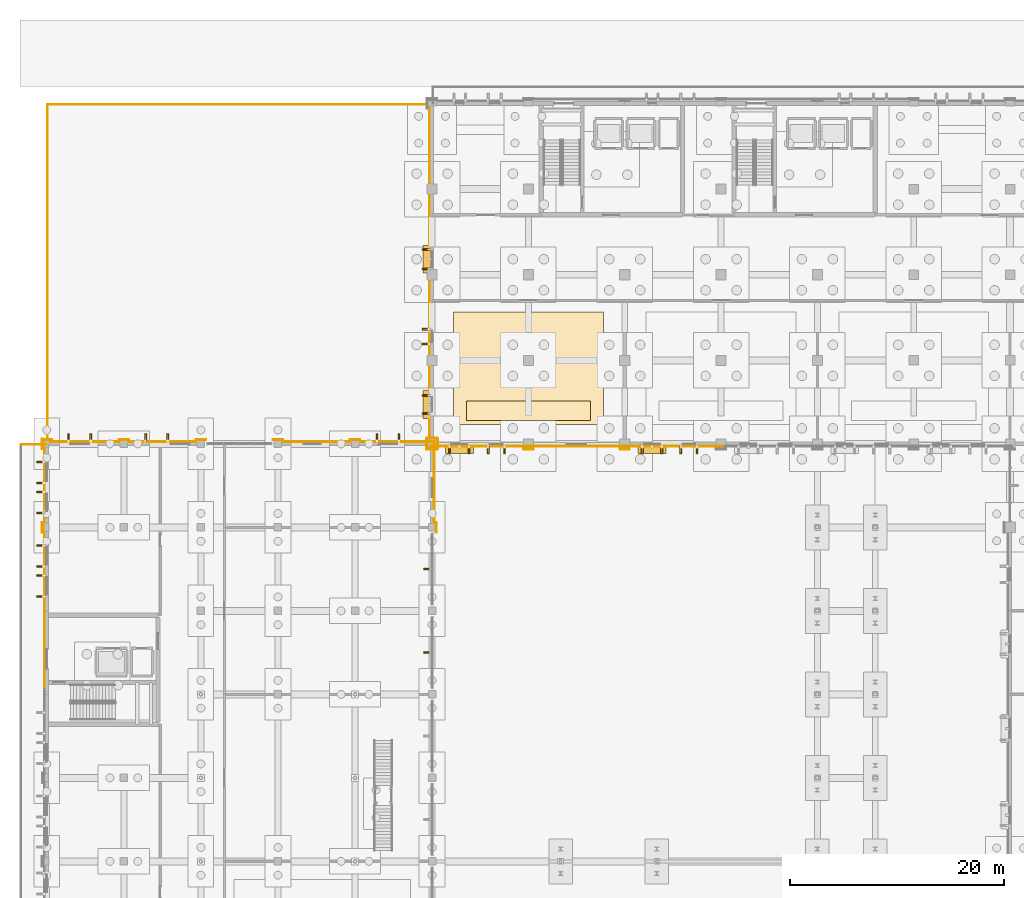
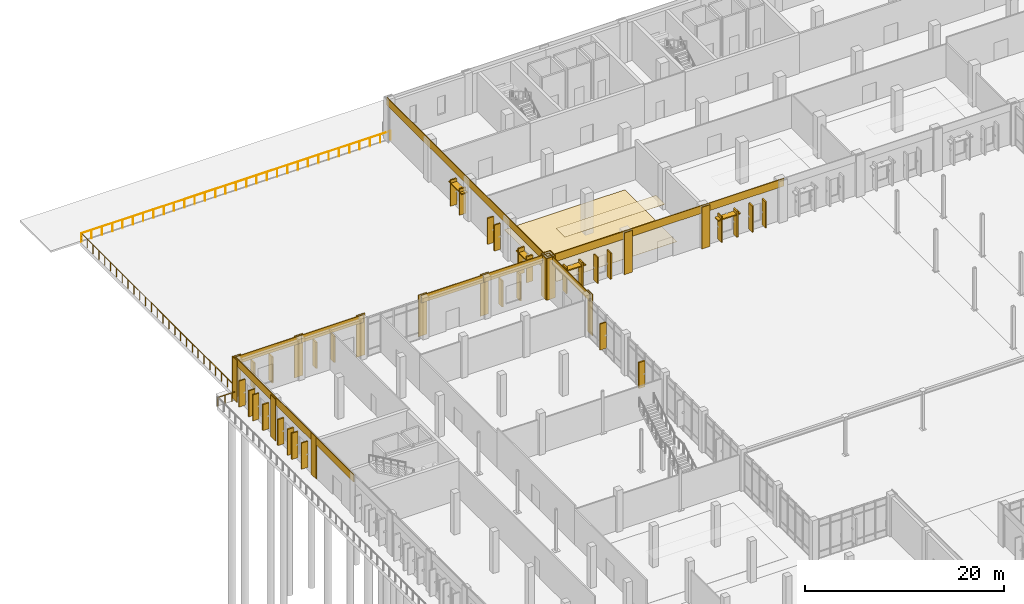
# One storey, part 86 of 94: 34 shading devices, 29 coverings, 3 railings.
"""IFC4 building model written with IfcOpenShell, lengths in metres."""

from ifc_helpers import new_model, si_unit, direction, frame, origin, origin_2d, place, context, subcontext, project, spatial, polyline, rectangle, circle, outline, extrude, material, layer, layer_set, type_object, element, save


model = new_model("IFC4")

# Units and contexts
model_context = context("Model", 3, precision=1e-05, world=origin(), true_north=direction((0.0, 1.0)))
body_context = subcontext(model_context, "Body", "Model", "MODEL_VIEW")
ifc_project = project(units=[si_unit("LENGTHUNIT", "METRE"), si_unit("AREAUNIT", "SQUARE_METRE"), si_unit("VOLUMEUNIT", "CUBIC_METRE"), si_unit("PLANEANGLEUNIT", "RADIAN"), si_unit("MASSUNIT", "GRAM", prefix="KILO")], contexts=[model_context])

# Site, building, storey
site_placement = place(None, origin())
site = spatial("IfcSite", under=ifc_project, at=site_placement, CompositionType="ELEMENT")
building_placement = place(site_placement, origin())
building = spatial("IfcBuilding", under=site, at=building_placement, Name="Vervanel Yard Central Library", CompositionType="ELEMENT")
storey_placement = place(building_placement, origin())
storey = spatial("IfcBuildingStorey", under=building, at=storey_placement, Name="L00", CompositionType="ELEMENT", Elevation=0.0)

# Coverings
ifc_material_1 = material(Name="Precast concrete C45/55", Category="concrete")
ifc_layer_1 = layer(ifc_material_1, 0.0849609375, Category="concrete")
ifc_layer_set_1 = layer_set([ifc_layer_1], Name="Precast concrete C45/55")
covering_type_1 = type_object("IfcCoveringType", Name="Bush-Hammered Precast Architectural Cladding Panel", PredefinedType="CLADDING", material=ifc_layer_set_1)
covering_1_placement = place(storey_placement, frame((40.5, 81.9599609375, 4.179931640625), z_axis=(0.0, 0.0, 1.0), x_axis=(1.0, 0.0, 0.0)))
element("IfcCovering", 1, at=covering_1_placement, inside=storey, type_object=covering_type_1, Name="L00 Precast Concrete Spandrel Cornice EWALL-L00-0011", PredefinedType="CLADDING", context=body_context, shape_type="SweptSolid", body=[
    extrude(rectangle(XDim=9.449951171875, YDim=0.0849609375, at=origin_2d()), origin(), (0.0, 0.0, 1.0), 0.93994140625),
])
for number, where, z_axis, x_axis, name in (
    (2, (36.0, 81.6826171875, 0.0), (0.0, 0.0, 1.0), (1.0, 0.0, 0.0), "L00 Precast Concrete Pier Pilaster EWALL-L00-0011-A"),
    (3, (45.0, 81.6826171875, 0.0), (0.0, 0.0, 1.0), (1.0, 0.0, 0.0), "L00 Precast Concrete Pier Pilaster EWALL-L00-0011-B"),
):
    element("IfcCovering", number, at=place(storey_placement, frame(where, z_axis=z_axis, x_axis=x_axis)), inside=storey, type_object=covering_type_1, Name=name, PredefinedType="CLADDING", context=body_context, shape_type="SweptSolid", body=[
        extrude(rectangle(XDim=0.97998046875, YDim=0.0849609375, at=origin_2d()), origin(), (0.0, 0.0, 1.0), 5.1201171875),
    ])
covering_2_placement = place(storey_placement, frame((49.5, 81.9599609375, 4.179931640625), z_axis=(0.0, 0.0, 1.0), x_axis=(1.0, 0.0, 0.0)))
element("IfcCovering", 4, at=covering_2_placement, inside=storey, type_object=covering_type_1, Name="L00 Precast Concrete Spandrel Cornice EWALL-L00-0012", PredefinedType="CLADDING", context=body_context, shape_type="SweptSolid", body=[
    extrude(rectangle(XDim=9.449951171875, YDim=0.0849609375, at=origin_2d()), origin(), (0.0, 0.0, 1.0), 0.93994140625),
])
covering_3_placement = place(storey_placement, frame((54.0, 81.6826171875, 0.0), z_axis=(0.0, 0.0, 1.0), x_axis=(1.0, 0.0, 0.0)))
element("IfcCovering", 5, at=covering_3_placement, inside=storey, type_object=covering_type_1, Name="L00 Precast Concrete Pier Pilaster EWALL-L00-0012-B", PredefinedType="CLADDING", context=body_context, shape_type="SweptSolid", body=[
    extrude(rectangle(XDim=0.97998046875, YDim=0.0849609375, at=origin_2d()), origin(), (0.0, 0.0, 1.0), 5.1201171875),
])
covering_4_placement = place(storey_placement, frame((58.5, 81.9599609375, 4.179931640625), z_axis=(0.0, 0.0, 1.0), x_axis=(1.0, 0.0, 0.0)))
element("IfcCovering", 6, at=covering_4_placement, inside=storey, type_object=covering_type_1, Name="L00 Precast Concrete Spandrel Cornice EWALL-L00-0013", PredefinedType="CLADDING", context=body_context, shape_type="SweptSolid", body=[
    extrude(rectangle(XDim=9.449951171875, YDim=0.0849609375, at=origin_2d()), origin(), (0.0, 0.0, 1.0), 0.93994140625),
])
covering_5_placement = place(storey_placement, frame((35.760009765625, 98.10009765625, 4.179931640625), z_axis=(0.0, 0.0, 1.0), x_axis=(0.0, 1.0, 0.0)))
element("IfcCovering", 7, at=covering_5_placement, inside=storey, type_object=covering_type_1, Name="L00 Precast Concrete Spandrel Cornice EWALL-L00-0017", PredefinedType="CLADDING", context=body_context, shape_type="SweptSolid", body=[
    extrude(rectangle(XDim=32.25, YDim=0.0849609375, at=origin_2d()), origin(), (0.0, 0.0, 1.0), 0.93994140625),
])
covering_6_placement = place(storey_placement, frame((35.482421875, 82.199951171875, 0.0), z_axis=(0.0, 0.0, 1.0), x_axis=(0.0, 1.0, 0.0)))
element("IfcCovering", 8, at=covering_6_placement, inside=storey, type_object=covering_type_1, Name="L00 Precast Concrete Pier Pilaster EWALL-L00-0017-A", PredefinedType="CLADDING", context=body_context, shape_type="SweptSolid", body=[
    extrude(rectangle(XDim=0.97998046875, YDim=0.0849609375, at=origin_2d()), origin(), (0.0, 0.0, 1.0), 5.1201171875),
])
covering_7_placement = place(storey_placement, frame((-0.2099609375, 62.699951171875, 4.179931640625), z_axis=(0.0, 0.0, 1.0), x_axis=(0.0, 1.0, 0.0)))
element("IfcCovering", 9, at=covering_7_placement, inside=storey, type_object=covering_type_1, Name="L00 Precast Concrete Spandrel Cornice EWALL-L00-0090", PredefinedType="CLADDING", context=body_context, shape_type="SweptSolid", body=[
    extrude(rectangle(XDim=8.25, YDim=0.0849609375, at=origin_2d()), origin(), (0.0, 0.0, 1.0), 0.93994140625),
])
covering_8_placement = place(storey_placement, frame((-0.21240234375, 66.60009765625, 0.0), z_axis=(0.0, 0.0, 1.0), x_axis=(0.0, 1.0, 0.0)))
element("IfcCovering", 10, at=covering_8_placement, inside=storey, type_object=covering_type_1, Name="L00 Precast Concrete Pier Pilaster EWALL-L00-0090-B", PredefinedType="CLADDING", context=body_context, shape_type="SweptSolid", body=[
    extrude(rectangle(XDim=0.97998046875, YDim=0.0849609375, at=origin_2d()), origin(), (0.0, 0.0, 1.0), 5.1201171875),
])
covering_9_placement = place(storey_placement, frame((-0.2099609375, 70.5, 4.179931640625), z_axis=(0.0, 0.0, 1.0), x_axis=(0.0, 1.0, 0.0)))
element("IfcCovering", 11, at=covering_9_placement, inside=storey, type_object=covering_type_1, Name="L00 Precast Concrete Spandrel Cornice EWALL-L00-0091", PredefinedType="CLADDING", context=body_context, shape_type="SweptSolid", body=[
    extrude(rectangle(XDim=8.25, YDim=0.0849609375, at=origin_2d()), origin(), (0.0, 0.0, 1.0), 0.93994140625),
])
covering_10_placement = place(storey_placement, frame((-0.4326171875, 74.39990234375, 0.0), z_axis=(0.0, 0.0, 1.0), x_axis=(0.0, 1.0, 0.0)))
element("IfcCovering", 12, at=covering_10_placement, inside=storey, type_object=covering_type_1, Name="L00 Precast Concrete Pier Pilaster EWALL-L00-0091-B", PredefinedType="CLADDING", context=body_context, shape_type="SweptSolid", body=[
    extrude(rectangle(XDim=0.97998046875, YDim=0.0849609375, at=origin_2d()), origin(), (0.0, 0.0, 1.0), 5.1201171875),
])
covering_11_placement = place(storey_placement, frame((-0.2099609375, 78.300048828125, 4.179931640625), z_axis=(0.0, 0.0, 1.0), x_axis=(0.0, 1.0, 0.0)))
element("IfcCovering", 13, at=covering_11_placement, inside=storey, type_object=covering_type_1, Name="L00 Precast Concrete Spandrel Cornice EWALL-L00-0092", PredefinedType="CLADDING", context=body_context, shape_type="SweptSolid", body=[
    extrude(rectangle(XDim=8.25, YDim=0.0849609375, at=origin_2d()), origin(), (0.0, 0.0, 1.0), 0.93994140625),
])
covering_12_placement = place(storey_placement, frame((-0.402587890625, 82.199951171875, 0.0), z_axis=(0.0, 0.0, 1.0), x_axis=(0.0, 1.0, 0.0)))
element("IfcCovering", 14, at=covering_12_placement, inside=storey, type_object=covering_type_1, Name="L00 Precast Concrete Pier Pilaster EWALL-L00-0092-B", PredefinedType="CLADDING", context=body_context, shape_type="SweptSolid", body=[
    extrude(rectangle(XDim=0.97998046875, YDim=0.0849609375, at=origin_2d()), origin(), (0.0, 0.0, 1.0), 5.1201171875),
])
covering_13_placement = place(storey_placement, frame((36.2099609375, 78.300048828125, 4.179931640625), z_axis=(0.0, 0.0, 1.0), x_axis=(0.0, 1.0, 0.0)))
element("IfcCovering", 15, at=covering_13_placement, inside=storey, type_object=covering_type_1, Name="L00 Precast Concrete Spandrel Cornice EWALL-L00-0093", PredefinedType="CLADDING", context=body_context, shape_type="SweptSolid", body=[
    extrude(rectangle(XDim=8.25, YDim=0.0849609375, at=origin_2d()), origin(), (0.0, 0.0, 1.0), 0.93994140625),
])
for number, where, z_axis, x_axis, name in (
    (16, (36.392578125, 74.39990234375, 0.0), (0.0, 0.0, 1.0), (0.0, 1.0, 0.0), "L00 Precast Concrete Pier Pilaster EWALL-L00-0093-A"),
    (17, (36.517578125, 82.199951171875, 0.0), (0.0, 0.0, 1.0), (0.0, 1.0, 0.0), "L00 Precast Concrete Pier Pilaster EWALL-L00-0093-B"),
):
    element("IfcCovering", number, at=place(storey_placement, frame(where, z_axis=z_axis, x_axis=x_axis)), inside=storey, type_object=covering_type_1, Name=name, PredefinedType="CLADDING", context=body_context, shape_type="SweptSolid", body=[
        extrude(rectangle(XDim=0.97998046875, YDim=0.0849609375, at=origin_2d()), origin(), (0.0, 0.0, 1.0), 5.1201171875),
    ])
covering_14_placement = place(storey_placement, frame((3.60009765625, 82.409912109375, 4.179931640625), z_axis=(0.0, 0.0, 1.0), x_axis=(1.0, 0.0, 0.0)))
element("IfcCovering", 18, at=covering_14_placement, inside=storey, type_object=covering_type_1, Name="L00 Precast Concrete Spandrel Cornice EWALL-L00-0094", PredefinedType="CLADDING", context=body_context, shape_type="SweptSolid", body=[
    extrude(rectangle(XDim=7.64990234375, YDim=0.0849609375, at=origin_2d()), origin(), (0.0, 0.0, 1.0), 0.93994140625),
])
for number, where, z_axis, x_axis, name in (
    (19, (0.0, 82.6025390625, 0.0), (0.0, 0.0, 1.0), (1.0, 0.0, 0.0), "L00 Precast Concrete Pier Pilaster EWALL-L00-0094-A"),
    (20, (7.199951171875, 82.592529296875, 0.0), (0.0, 0.0, 1.0), (1.0, 0.0, 0.0), "L00 Precast Concrete Pier Pilaster EWALL-L00-0094-B"),
):
    element("IfcCovering", number, at=place(storey_placement, frame(where, z_axis=z_axis, x_axis=x_axis)), inside=storey, type_object=covering_type_1, Name=name, PredefinedType="CLADDING", context=body_context, shape_type="SweptSolid", body=[
        extrude(rectangle(XDim=0.97998046875, YDim=0.0849609375, at=origin_2d()), origin(), (0.0, 0.0, 1.0), 5.1201171875),
    ])
covering_15_placement = place(storey_placement, frame((10.800048828125, 82.409912109375, 4.179931640625), z_axis=(0.0, 0.0, 1.0), x_axis=(1.0, 0.0, 0.0)))
element("IfcCovering", 21, at=covering_15_placement, inside=storey, type_object=covering_type_1, Name="L00 Precast Concrete Spandrel Cornice EWALL-L00-0095", PredefinedType="CLADDING", context=body_context, shape_type="SweptSolid", body=[
    extrude(rectangle(XDim=7.64990234375, YDim=0.0849609375, at=origin_2d()), origin(), (0.0, 0.0, 1.0), 0.93994140625),
])
covering_16_placement = place(storey_placement, frame((14.39990234375, 82.592529296875, 0.0), z_axis=(0.0, 0.0, 1.0), x_axis=(1.0, 0.0, 0.0)))
element("IfcCovering", 22, at=covering_16_placement, inside=storey, type_object=covering_type_1, Name="L00 Precast Concrete Pier Pilaster EWALL-L00-0095-B", PredefinedType="CLADDING", context=body_context, shape_type="SweptSolid", body=[
    extrude(rectangle(XDim=0.97998046875, YDim=0.0849609375, at=origin_2d()), origin(), (0.0, 0.0, 1.0), 5.1201171875),
])
covering_17_placement = place(storey_placement, frame((25.199951171875, 82.409912109375, 4.179931640625), z_axis=(0.0, 0.0, 1.0), x_axis=(1.0, 0.0, 0.0)))
element("IfcCovering", 23, at=covering_17_placement, inside=storey, type_object=covering_type_1, Name="L00 Precast Concrete Spandrel Cornice EWALL-L00-0096", PredefinedType="CLADDING", context=body_context, shape_type="SweptSolid", body=[
    extrude(rectangle(XDim=7.64990234375, YDim=0.0849609375, at=origin_2d()), origin(), (0.0, 0.0, 1.0), 0.93994140625),
])
for number, where, z_axis, x_axis, name in (
    (24, (21.60009765625, 82.592529296875, 0.0), (0.0, 0.0, 1.0), (1.0, 0.0, 0.0), "L00 Precast Concrete Pier Pilaster EWALL-L00-0096-A"),
    (25, (28.800048828125, 82.592529296875, 0.0), (0.0, 0.0, 1.0), (1.0, 0.0, 0.0), "L00 Precast Concrete Pier Pilaster EWALL-L00-0096-B"),
):
    element("IfcCovering", number, at=place(storey_placement, frame(where, z_axis=z_axis, x_axis=x_axis)), inside=storey, type_object=covering_type_1, Name=name, PredefinedType="CLADDING", context=body_context, shape_type="SweptSolid", body=[
        extrude(rectangle(XDim=0.97998046875, YDim=0.0849609375, at=origin_2d()), origin(), (0.0, 0.0, 1.0), 5.1201171875),
    ])
covering_18_placement = place(storey_placement, frame((32.39990234375, 82.409912109375, 4.179931640625), z_axis=(0.0, 0.0, 1.0), x_axis=(1.0, 0.0, 0.0)))
element("IfcCovering", 26, at=covering_18_placement, inside=storey, type_object=covering_type_1, Name="L00 Precast Concrete Spandrel Cornice EWALL-L00-0097", PredefinedType="CLADDING", context=body_context, shape_type="SweptSolid", body=[
    extrude(rectangle(XDim=7.64990234375, YDim=0.0849609375, at=origin_2d()), origin(), (0.0, 0.0, 1.0), 0.93994140625),
])
covering_19_placement = place(storey_placement, frame((36.0, 82.717529296875, 0.0), z_axis=(0.0, 0.0, 1.0), x_axis=(1.0, 0.0, 0.0)))
element("IfcCovering", 27, at=covering_19_placement, inside=storey, type_object=covering_type_1, Name="L00 Precast Concrete Pier Pilaster EWALL-L00-0097-B", PredefinedType="CLADDING", context=body_context, shape_type="SweptSolid", body=[
    extrude(rectangle(XDim=0.97998046875, YDim=0.0849609375, at=origin_2d()), origin(), (0.0, 0.0, 1.0), 5.1201171875),
])

# Railings
ifc_material_2 = material(Name="Brushed stainless steel AISI 316", Category="steel")
railing_type = type_object("IfcRailingType", Name="Exterior Terrace Guardrail 1100", PredefinedType="GUARDRAIL", material=ifc_material_2)
railing_1_placement = place(storey_placement, frame((0.080078125, 82.199951171875, 0.0)))
element("IfcRailing", 28, at=railing_1_placement, inside=storey, type_object=railing_type, Name="L00 Northwest Rail-Buffer Plinth Terrace Edge Guard 1", PredefinedType="GUARDRAIL", context=body_context, shape_type="SweptSolid", body=[
    extrude(circle(Radius=0.02392578125, at=origin_2d()), frame((0.0, 0.0, 1.076171875), z_axis=(0.0, 1.0, 0.0), x_axis=(-1.0, 0.0, 0.0)), (0.0, 0.0, 1.0), 31.719970703125),
    extrude(circle(Radius=0.02099609375, at=origin_2d()), origin(), (0.0, 0.0, 1.0), 1.052001953125),
    extrude(circle(Radius=0.02099609375, at=origin_2d()), frame((0.0, 1.1748046875, 0.0)), (0.0, 0.0, 1.0), 1.052001953125),
    extrude(circle(Radius=0.02099609375, at=origin_2d()), frame((0.0, 2.349609375, 0.0)), (0.0, 0.0, 1.0), 1.052001953125),
    extrude(circle(Radius=0.02099609375, at=origin_2d()), frame((0.0, 3.5244140625, 0.0)), (0.0, 0.0, 1.0), 1.052001953125),
    extrude(circle(Radius=0.02099609375, at=origin_2d()), frame((0.0, 4.69921875, 0.0)), (0.0, 0.0, 1.0), 1.052001953125),
    extrude(circle(Radius=0.02099609375, at=origin_2d()), frame((0.0, 5.8740234375, 0.0)), (0.0, 0.0, 1.0), 1.052001953125),
    extrude(circle(Radius=0.02099609375, at=origin_2d()), frame((0.0, 7.048828125, 0.0)), (0.0, 0.0, 1.0), 1.052001953125),
    extrude(circle(Radius=0.02099609375, at=origin_2d()), frame((0.0, 8.2236328125, 0.0)), (0.0, 0.0, 1.0), 1.052001953125),
    extrude(circle(Radius=0.02099609375, at=origin_2d()), frame((0.0, 9.3984375, 0.0)), (0.0, 0.0, 1.0), 1.052001953125),
    extrude(circle(Radius=0.02099609375, at=origin_2d()), frame((0.0, 10.5732421875, 0.0)), (0.0, 0.0, 1.0), 1.052001953125),
    extrude(circle(Radius=0.02099609375, at=origin_2d()), frame((0.0, 11.748046875, 0.0)), (0.0, 0.0, 1.0), 1.052001953125),
    extrude(circle(Radius=0.02099609375, at=origin_2d()), frame((0.0, 12.9228515625, 0.0)), (0.0, 0.0, 1.0), 1.052001953125),
    extrude(circle(Radius=0.02099609375, at=origin_2d()), frame((0.0, 14.09765625, 0.0)), (0.0, 0.0, 1.0), 1.052001953125),
    extrude(circle(Radius=0.02099609375, at=origin_2d()), frame((0.0, 15.2724609375, 0.0)), (0.0, 0.0, 1.0), 1.052001953125),
    extrude(circle(Radius=0.02099609375, at=origin_2d()), frame((0.0, 16.447509765625, 0.0)), (0.0, 0.0, 1.0), 1.052001953125),
    extrude(circle(Radius=0.02099609375, at=origin_2d()), frame((0.0, 17.622314453125, 0.0)), (0.0, 0.0, 1.0), 1.052001953125),
    extrude(circle(Radius=0.02099609375, at=origin_2d()), frame((0.0, 18.797119140625, 0.0)), (0.0, 0.0, 1.0), 1.052001953125),
    extrude(circle(Radius=0.02099609375, at=origin_2d()), frame((0.0, 19.971923828125, 0.0)), (0.0, 0.0, 1.0), 1.052001953125),
    extrude(circle(Radius=0.02099609375, at=origin_2d()), frame((0.0, 21.146728515625, 0.0)), (0.0, 0.0, 1.0), 1.052001953125),
    extrude(circle(Radius=0.02099609375, at=origin_2d()), frame((0.0, 22.321533203125, 0.0)), (0.0, 0.0, 1.0), 1.052001953125),
    extrude(circle(Radius=0.02099609375, at=origin_2d()), frame((0.0, 23.496337890625, 0.0)), (0.0, 0.0, 1.0), 1.052001953125),
    extrude(circle(Radius=0.02099609375, at=origin_2d()), frame((0.0, 24.671142578125, 0.0)), (0.0, 0.0, 1.0), 1.052001953125),
    extrude(circle(Radius=0.02099609375, at=origin_2d()), frame((0.0, 25.845947265625, 0.0)), (0.0, 0.0, 1.0), 1.052001953125),
    extrude(circle(Radius=0.02099609375, at=origin_2d()), frame((0.0, 27.020751953125, 0.0)), (0.0, 0.0, 1.0), 1.052001953125),
    extrude(circle(Radius=0.02099609375, at=origin_2d()), frame((0.0, 28.195556640625, 0.0)), (0.0, 0.0, 1.0), 1.052001953125),
    extrude(circle(Radius=0.02099609375, at=origin_2d()), frame((0.0, 29.370361328125, 0.0)), (0.0, 0.0, 1.0), 1.052001953125),
    extrude(circle(Radius=0.02099609375, at=origin_2d()), frame((0.0, 30.545166015625, 0.0)), (0.0, 0.0, 1.0), 1.052001953125),
    extrude(circle(Radius=0.02099609375, at=origin_2d()), frame((0.0, 31.719970703125, 0.0)), (0.0, 0.0, 1.0), 1.052001953125),
])
railing_2_placement = place(storey_placement, frame((0.080078125, 113.919921875, 0.0)))
element("IfcRailing", 29, at=railing_2_placement, inside=storey, type_object=railing_type, Name="L00 Northwest Rail-Buffer Plinth Terrace Edge Guard 2", PredefinedType="GUARDRAIL", context=body_context, shape_type="SweptSolid", body=[
    extrude(circle(Radius=0.02392578125, at=origin_2d()), frame((0.0, 0.0, 1.076171875), z_axis=(1.0, 0.0, 0.0), x_axis=(0.0, 1.0, 0.0)), (0.0, 0.0, 1.0), 35.919921875),
    extrude(circle(Radius=0.02099609375, at=origin_2d()), origin(), (0.0, 0.0, 1.0), 1.052001953125),
    extrude(circle(Radius=0.02099609375, at=origin_2d()), frame((1.197265625, 0.0, 0.0)), (0.0, 0.0, 1.0), 1.052001953125),
    extrude(circle(Radius=0.02099609375, at=origin_2d()), frame((2.394775390625, 0.0, 0.0)), (0.0, 0.0, 1.0), 1.052001953125),
    extrude(circle(Radius=0.02099609375, at=origin_2d()), frame((3.592041015625, 0.0, 0.0)), (0.0, 0.0, 1.0), 1.052001953125),
    extrude(circle(Radius=0.02099609375, at=origin_2d()), frame((4.789306640625, 0.0, 0.0)), (0.0, 0.0, 1.0), 1.052001953125),
    extrude(circle(Radius=0.02099609375, at=origin_2d()), frame((5.986572265625, 0.0, 0.0)), (0.0, 0.0, 1.0), 1.052001953125),
    extrude(circle(Radius=0.02099609375, at=origin_2d()), frame((7.18408203125, 0.0, 0.0)), (0.0, 0.0, 1.0), 1.052001953125),
    extrude(circle(Radius=0.02099609375, at=origin_2d()), frame((8.38134765625, 0.0, 0.0)), (0.0, 0.0, 1.0), 1.052001953125),
    extrude(circle(Radius=0.02099609375, at=origin_2d()), frame((9.57861328125, 0.0, 0.0)), (0.0, 0.0, 1.0), 1.052001953125),
    extrude(circle(Radius=0.02099609375, at=origin_2d()), frame((10.77587890625, 0.0, 0.0)), (0.0, 0.0, 1.0), 1.052001953125),
    extrude(circle(Radius=0.02099609375, at=origin_2d()), frame((11.973388671875, 0.0, 0.0)), (0.0, 0.0, 1.0), 1.052001953125),
    extrude(circle(Radius=0.02099609375, at=origin_2d()), frame((13.170654296875, 0.0, 0.0)), (0.0, 0.0, 1.0), 1.052001953125),
    extrude(circle(Radius=0.02099609375, at=origin_2d()), frame((14.367919921875, 0.0, 0.0)), (0.0, 0.0, 1.0), 1.052001953125),
    extrude(circle(Radius=0.02099609375, at=origin_2d()), frame((15.565185546875, 0.0, 0.0)), (0.0, 0.0, 1.0), 1.052001953125),
    extrude(circle(Radius=0.02099609375, at=origin_2d()), frame((16.7626953125, 0.0, 0.0)), (0.0, 0.0, 1.0), 1.052001953125),
    extrude(circle(Radius=0.02099609375, at=origin_2d()), frame((17.9599609375, 0.0, 0.0)), (0.0, 0.0, 1.0), 1.052001953125),
    extrude(circle(Radius=0.02099609375, at=origin_2d()), frame((19.1572265625, 0.0, 0.0)), (0.0, 0.0, 1.0), 1.052001953125),
    extrude(circle(Radius=0.02099609375, at=origin_2d()), frame((20.354736328125, 0.0, 0.0)), (0.0, 0.0, 1.0), 1.052001953125),
    extrude(circle(Radius=0.02099609375, at=origin_2d()), frame((21.552001953125, 0.0, 0.0)), (0.0, 0.0, 1.0), 1.052001953125),
    extrude(circle(Radius=0.02099609375, at=origin_2d()), frame((22.749267578125, 0.0, 0.0)), (0.0, 0.0, 1.0), 1.052001953125),
    extrude(circle(Radius=0.02099609375, at=origin_2d()), frame((23.946533203125, 0.0, 0.0)), (0.0, 0.0, 1.0), 1.052001953125),
    extrude(circle(Radius=0.02099609375, at=origin_2d()), frame((25.14404296875, 0.0, 0.0)), (0.0, 0.0, 1.0), 1.052001953125),
    extrude(circle(Radius=0.02099609375, at=origin_2d()), frame((26.34130859375, 0.0, 0.0)), (0.0, 0.0, 1.0), 1.052001953125),
    extrude(circle(Radius=0.02099609375, at=origin_2d()), frame((27.53857421875, 0.0, 0.0)), (0.0, 0.0, 1.0), 1.052001953125),
    extrude(circle(Radius=0.02099609375, at=origin_2d()), frame((28.73583984375, 0.0, 0.0)), (0.0, 0.0, 1.0), 1.052001953125),
    extrude(circle(Radius=0.02099609375, at=origin_2d()), frame((29.933349609375, 0.0, 0.0)), (0.0, 0.0, 1.0), 1.052001953125),
    extrude(circle(Radius=0.02099609375, at=origin_2d()), frame((31.130615234375, 0.0, 0.0)), (0.0, 0.0, 1.0), 1.052001953125),
    extrude(circle(Radius=0.02099609375, at=origin_2d()), frame((32.327880859375, 0.0, 0.0)), (0.0, 0.0, 1.0), 1.052001953125),
    extrude(circle(Radius=0.02099609375, at=origin_2d()), frame((33.525146484375, 0.0, 0.0)), (0.0, 0.0, 1.0), 1.052001953125),
    extrude(circle(Radius=0.02099609375, at=origin_2d()), frame((34.72265625, 0.0, 0.0)), (0.0, 0.0, 1.0), 1.052001953125),
    extrude(circle(Radius=0.02099609375, at=origin_2d()), frame((35.919921875, 0.0, 0.0)), (0.0, 0.0, 1.0), 1.052001953125),
])
railing_3_placement = place(storey_placement, frame((-2.419921875, 82.1201171875, 0.0)))
element("IfcRailing", 30, at=railing_3_placement, inside=storey, type_object=railing_type, Name="L00 West Street Plinth Promenade Edge Guard 14", PredefinedType="GUARDRAIL", context=body_context, shape_type="SweptSolid", body=[
    extrude(circle(Radius=0.02392578125, at=origin_2d()), frame((0.0, 0.0, 1.076171875), z_axis=(1.0, 0.0, 0.0), x_axis=(0.0, 1.0, 0.0)), (0.0, 0.0, 1.0), 2.419921875),
    extrude(circle(Radius=0.02099609375, at=origin_2d()), origin(), (0.0, 0.0, 1.0), 1.052001953125),
    extrude(circle(Radius=0.02099609375, at=origin_2d()), frame((0.806640625, 0.0, 0.0)), (0.0, 0.0, 1.0), 1.052001953125),
    extrude(circle(Radius=0.02099609375, at=origin_2d()), frame((1.61328125, 0.0, 0.0)), (0.0, 0.0, 1.0), 1.052001953125),
    extrude(circle(Radius=0.02099609375, at=origin_2d()), frame((2.419921875, 0.0, 0.0)), (0.0, 0.0, 1.0), 1.052001953125),
])

# Shading devices
shading_device_type_1 = type_object("IfcShadingDeviceType", Name="Horizontal Precast Brise-Soleil Sunhood 2600x680x140", PredefinedType="JALOUSIE", material=ifc_material_1)
for number, where, z_axis, x_axis, name in (
    (31, (38.550048828125, 81.659912109375, 2.97998046875), (0.0, 0.0, 1.0), (1.0, 0.0, 0.0), "L00 Precast Horizontal Sunhood 1"),
    (32, (56.550048828125, 81.659912109375, 2.97998046875), (0.0, 0.0, 1.0), (1.0, 0.0, 0.0), "L00 Precast Horizontal Sunhood 2"),
    (33, (35.47998046875, 85.875, 2.830078125), (0.0, 0.0, 1.0), (0.0, 1.0, 0.0), "L00 Precast Horizontal Sunhood 6"),
    (34, (35.47998046875, 99.449951171875, 3.080078125), (0.0, 0.0, 1.0), (0.0, 1.0, 0.0), "L00 Precast Horizontal Sunhood 7"),
):
    element("IfcShadingDevice", number, at=place(storey_placement, frame(where, z_axis=z_axis, x_axis=x_axis)), inside=storey, type_object=shading_device_type_1, Name=name, PredefinedType="JALOUSIE", context=body_context, shape_type="SweptSolid", body=[
        extrude(rectangle(XDim=2.60009765625, YDim=0.679931640625, at=origin_2d()), origin(), (0.0, 0.0, 1.0), 0.139892578125),
    ])

# Coverings
ifc_material_3 = material(Name="Polished river-stone terrazzo flooring", Category="masonry")
ifc_layer_2 = layer(ifc_material_3, 0.02490234375, Category="masonry")
ifc_layer_set_2 = layer_set([ifc_layer_2], Name="Polished river-stone terrazzo flooring")
covering_type_2 = type_object("IfcCoveringType", Name="Polished River-Stone Terrazzo Flooring 25", PredefinedType="FLOORING", material=ifc_layer_set_2)
covering_20_placement = place(storey_placement, origin())
element("IfcCovering", 35, at=covering_20_placement, inside=storey, type_object=covering_type_2, Name="L00 Terrazzo Flooring Bay 1", PredefinedType="FLOORING", context=body_context, shape_type="SweptSolid", body=[
    extrude(outline(polyline([(38.0, 84.0), (52.0, 84.0), (52.0, 94.5), (38.0, 94.5), (38.0, 84.0)])), origin(), (0.0, 0.0, 1.0), 0.02490234375),
])
ifc_material_4 = material(Name="Perforated mineral-fibre acoustic ceiling", Category="gypsum")
ifc_layer_3 = layer(ifc_material_4, 0.034912109375, Category="gypsum")
ifc_layer_set_3 = layer_set([ifc_layer_3], Name="Perforated mineral-fibre acoustic ceiling")
covering_type_3 = type_object("IfcCoveringType", Name="Suspended Mineral Acoustic Ceiling 35", PredefinedType="CEILING", material=ifc_layer_set_3)
covering_21_placement = place(storey_placement, frame((0.0, 0.0, 4.764892578125)))
element("IfcCovering", 36, at=covering_21_placement, inside=storey, type_object=covering_type_3, Name="L00 Acoustic Ceiling Bay 1", PredefinedType="CEILING", context=body_context, shape_type="SweptSolid", body=[
    extrude(outline(polyline([(39.199951171875, 84.39990234375), (50.800048828125, 84.39990234375), (50.800048828125, 86.199951171875), (39.199951171875, 86.199951171875), (39.199951171875, 84.39990234375)])), origin(), (0.0, 0.0, 1.0), 0.03515625),
])

# Shading devices
shading_device_type_2 = type_object("IfcShadingDeviceType", Name="Vertical Precast Solar Fin 160x720x3200", PredefinedType="JALOUSIE", material=ifc_material_1)
for number, where, z_axis, x_axis, name in (
    (37, (37.639892578125, 81.6298828125, 0.2998046875), (0.0, 0.0, 1.0), (1.0, 0.0, 0.0), "L00 Precast Solar Fin 29"),
    (38, (39.4599609375, 81.6298828125, 0.2998046875), (0.0, 0.0, 1.0), (1.0, 0.0, 0.0), "L00 Precast Solar Fin 30"),
    (39, (41.239990234375, 81.6298828125, 0.2998046875), (0.0, 0.0, 1.0), (1.0, 0.0, 0.0), "L00 Precast Solar Fin 31"),
    (40, (42.760009765625, 81.6298828125, 0.2998046875), (0.0, 0.0, 1.0), (1.0, 0.0, 0.0), "L00 Precast Solar Fin 32"),
    (41, (55.639892578125, 81.6298828125, 0.2998046875), (0.0, 0.0, 1.0), (1.0, 0.0, 0.0), "L00 Precast Solar Fin 33"),
    (42, (57.4599609375, 81.6298828125, 0.2998046875), (0.0, 0.0, 1.0), (1.0, 0.0, 0.0), "L00 Precast Solar Fin 34"),
    (43, (59.239990234375, 81.6298828125, 0.2998046875), (0.0, 0.0, 1.0), (1.0, 0.0, 0.0), "L00 Precast Solar Fin 35"),
    (44, (60.760009765625, 81.6298828125, 0.2998046875), (0.0, 0.0, 1.0), (1.0, 0.0, 0.0), "L00 Precast Solar Fin 36"),
    (45, (35.449951171875, 85.0400390625, 0.27490234375), (0.0, 0.0, 1.0), (0.0, 1.0, 0.0), "L00 Precast Solar Fin 49"),
    (46, (35.449951171875, 86.7099609375, 0.27490234375), (0.0, 0.0, 1.0), (0.0, 1.0, 0.0), "L00 Precast Solar Fin 50"),
    (47, (35.449951171875, 91.5400390625, 0.22509765625), (0.0, 0.0, 1.0), (0.0, 1.0, 0.0), "L00 Precast Solar Fin 51"),
    (48, (35.449951171875, 92.909912109375, 0.22509765625), (0.0, 0.0, 1.0), (0.0, 1.0, 0.0), "L00 Precast Solar Fin 52"),
    (49, (35.449951171875, 98.5400390625, 0.39990234375), (0.0, 0.0, 1.0), (0.0, 1.0, 0.0), "L00 Precast Solar Fin 53"),
    (50, (35.449951171875, 100.360107421875, 0.39990234375), (0.0, 0.0, 1.0), (0.0, 1.0, 0.0), "L00 Precast Solar Fin 54"),
    (51, (-0.570068359375, 67.93994140625, 0.375), (0.0, 0.0, 1.0), (0.0, 1.0, 0.0), "L00 Precast Solar Fin 241"),
    (52, (-0.570068359375, 69.909912109375, 0.375), (0.0, 0.0, 1.0), (0.0, 1.0, 0.0), "L00 Precast Solar Fin 242"),
    (53, (-0.570068359375, 70.739990234375, 0.375), (0.0, 0.0, 1.0), (0.0, 1.0, 0.0), "L00 Precast Solar Fin 243"),
    (54, (-0.570068359375, 72.7099609375, 0.375), (0.0, 0.0, 1.0), (0.0, 1.0, 0.0), "L00 Precast Solar Fin 244"),
    (55, (-0.570068359375, 75.739990234375, 0.375), (0.0, 0.0, 1.0), (0.0, 1.0, 0.0), "L00 Precast Solar Fin 245"),
    (56, (-0.570068359375, 77.7099609375, 0.375), (0.0, 0.0, 1.0), (0.0, 1.0, 0.0), "L00 Precast Solar Fin 246"),
    (57, (-0.570068359375, 78.5400390625, 0.375), (0.0, 0.0, 1.0), (0.0, 1.0, 0.0), "L00 Precast Solar Fin 247"),
    (58, (-0.570068359375, 80.510009765625, 0.375), (0.0, 0.0, 1.0), (0.0, 1.0, 0.0), "L00 Precast Solar Fin 248"),
    (59, (35.590087890625, 62.699951171875, 0.7900390625), (0.0, 0.0, 1.0), (0.0, 1.0, 0.0), "L00 Precast Solar Fin 251"),
    (60, (35.590087890625, 70.5, 0.7900390625), (0.0, 0.0, 1.0), (0.0, 1.0, 0.0), "L00 Precast Solar Fin 252"),
    (61, (2.0400390625, 82.77001953125, 0.375), (0.0, 0.0, 1.0), (1.0, 0.0, 0.0), "L00 Precast Solar Fin 253"),
    (62, (4.110107421875, 82.77001953125, 0.375), (0.0, 0.0, 1.0), (1.0, 0.0, 0.0), "L00 Precast Solar Fin 254"),
    (63, (9.239990234375, 82.77001953125, 0.375), (0.0, 0.0, 1.0), (1.0, 0.0, 0.0), "L00 Precast Solar Fin 255"),
    (64, (11.31005859375, 82.77001953125, 0.375), (0.0, 0.0, 1.0), (1.0, 0.0, 0.0), "L00 Precast Solar Fin 256"),
    (65, (30.840087890625, 82.77001953125, 0.375), (0.0, 0.0, 1.0), (1.0, 0.0, 0.0), "L00 Precast Solar Fin 257"),
    (66, (32.909912109375, 82.77001953125, 0.375), (0.0, 0.0, 1.0), (1.0, 0.0, 0.0), "L00 Precast Solar Fin 258"),
):
    element("IfcShadingDevice", number, at=place(storey_placement, frame(where, z_axis=z_axis, x_axis=x_axis)), inside=storey, type_object=shading_device_type_2, Name=name, PredefinedType="JALOUSIE", context=body_context, shape_type="SweptSolid", body=[
        extrude(rectangle(XDim=0.159912109375, YDim=0.719970703125, at=origin_2d()), origin(), (0.0, 0.0, 1.0), 3.199951171875),
    ])

save(model, "model.ifc")
